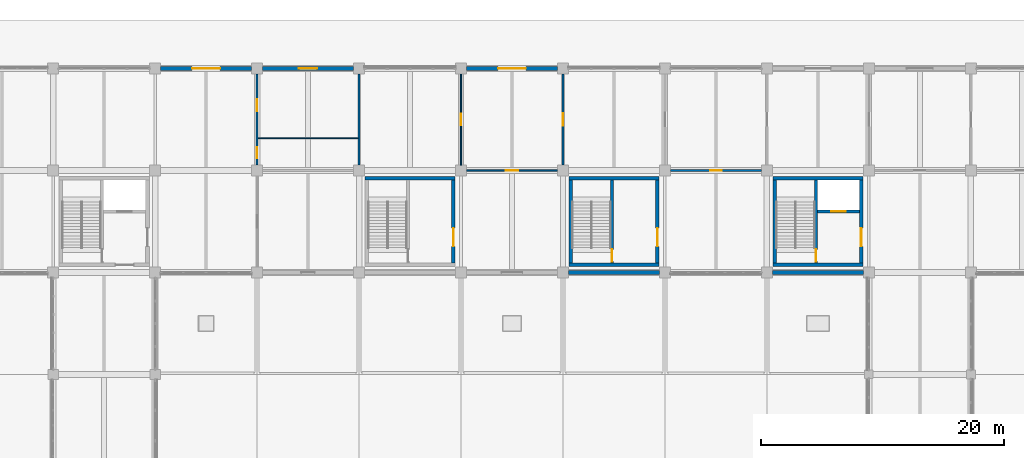
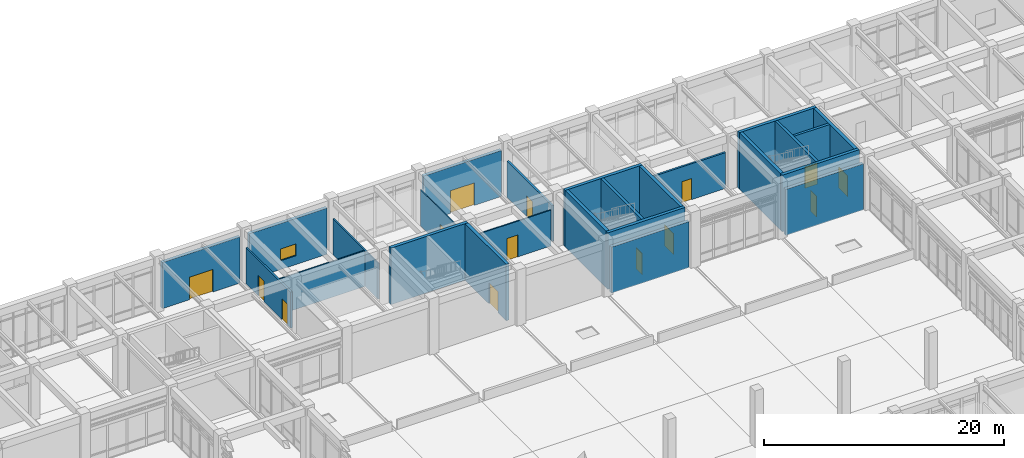
# One storey, part 75 of 91: 25 walls, 14 doors, 1 window, 15 openings.
"""IFC4 building model written with IfcOpenShell, lengths in metres."""

import ifcopenshell
import ifcopenshell.guid

model = None  # the IFC model being written
_history = None  # IfcOwnerHistory: only IFC2X3 demands one
_inside = {}  # id of a spatial element -> (the spatial element, [elements in it])
_under = {}  # id of a project, library or spatial element -> (it, [spatial elements below it])
_declared = {}  # id of a project -> (the project, [libraries it declares])
_typed = {}  # id of a type object -> (the type object, [elements of that type])
_made_of = {}  # id of a material, layer set ... -> (it, [elements and type objects made of it])


def new_model(schema):
    """Start an empty IFC model of exactly this schema.

    Asked for "IFC4X3", IfcOpenShell would pick the latest addendum, in which some entities
    have other attributes; the version numbers below select the first issue.
    IFC2X3 requires an IfcOwnerHistory on every rooted entity: one is made here for all.
    """
    global model, _history
    if schema == "IFC4X3":
        model = ifcopenshell.file(schema_version=(4, 3, 0, 0))
    else:
        model = ifcopenshell.file(schema=schema)
    _inside.clear()
    _under.clear()
    _declared.clear()
    _typed.clear()
    _made_of.clear()
    _history = None
    if model.schema == "IFC2X3":
        org = make("IfcOrganization", Name="unknown")
        user = make(
            "IfcPersonAndOrganization",
            ThePerson=make("IfcPerson", FamilyName="unknown"),
            TheOrganization=org,
        )
        app = make(
            "IfcApplication",
            ApplicationDeveloper=org,
            Version="unknown",
            ApplicationFullName="unknown",
            ApplicationIdentifier="unknown",
        )
        _history = make(
            "IfcOwnerHistory",
            OwningUser=user,
            OwningApplication=app,
            ChangeAction="ADDED",
            CreationDate=0,
        )
    return model


def make(cls, **values):
    """One entity of the class cls with the attributes given. An attribute that is None is left unset."""
    return model.create_entity(
        cls, **{name: value for name, value in values.items() if value is not None}
    )


def rooted(cls, **values):
    """An entity with a GlobalId (a new one), such as an element, a storey or a relation."""
    return make(cls, GlobalId=ifcopenshell.guid.new(), OwnerHistory=_history, **values)


def si_unit(unit_type, name, prefix=None):
    """IfcSIUnit, for example si_unit("LENGTHUNIT", "METRE", prefix="MILLI")."""
    return make("IfcSIUnit", UnitType=unit_type, Prefix=prefix, Name=name)


def assignment(units):
    """IfcUnitAssignment: the units of a project."""
    return None if units is None else make("IfcUnitAssignment", Units=units)


def point(xyz):
    """IfcCartesianPoint."""
    return None if xyz is None else make("IfcCartesianPoint", Coordinates=xyz)


def direction(xyz):
    """IfcDirection."""
    return None if xyz is None else make("IfcDirection", DirectionRatios=xyz)


def frame(location, z_axis=None, x_axis=None):
    """IfcAxis2Placement3D, a coordinate frame: its origin and axes. An axis left out is left unset."""
    return make(
        "IfcAxis2Placement3D",
        Location=point(location),
        Axis=direction(z_axis),
        RefDirection=direction(x_axis),
    )


def frame_2d(location, x_axis=None):
    """IfcAxis2Placement2D, a coordinate frame in the plane: its origin and x axis."""
    return make(
        "IfcAxis2Placement2D", Location=point(location), RefDirection=direction(x_axis)
    )


def origin():
    """The frame at (0, 0, 0) with its axes left unset."""
    return frame((0.0, 0.0, 0.0))


def place(relative_to, where):
    """IfcLocalPlacement: puts the frame where relative to a parent placement (None: the world)."""
    return make(
        "IfcLocalPlacement", PlacementRelTo=relative_to, RelativePlacement=where
    )


def context(
    kind, dimensions, precision=None, world=None, true_north=None, identifier=None
):
    """IfcGeometricRepresentationContext, for example the 3D "Model" context."""
    return make(
        "IfcGeometricRepresentationContext",
        ContextIdentifier=identifier,
        ContextType=kind,
        CoordinateSpaceDimension=dimensions,
        Precision=precision,
        WorldCoordinateSystem=world,
        TrueNorth=true_north,
    )


def subcontext(parent, identifier, kind, view, scale=None):
    """IfcGeometricRepresentationSubContext, for example "Body" below "Model"."""
    return make(
        "IfcGeometricRepresentationSubContext",
        ContextIdentifier=identifier,
        ContextType=kind,
        ParentContext=parent,
        TargetScale=scale,
        TargetView=view,
    )


def project(units=None, contexts=None):
    """IfcProject with its units and contexts."""
    return rooted(
        "IfcProject",
        Name="project",
        RepresentationContexts=contexts,
        UnitsInContext=assignment(units),
    )


def spatial(cls, under=None, at=None, **own):
    """A site, building, storey or space (cls), placed at a placement, below another one or the project."""
    s = rooted(cls, ObjectPlacement=at, **own)
    if under is not None:
        _under.setdefault(under.id(), (under, []))[1].append(s)
    return s


def profile(cls, at=None, kind="AREA", **sizes):
    """A parametric profile (cls). Its sizes go by their IFC names, for example OverallWidth=200.0."""
    return make(cls, ProfileType=kind, Position=at, **sizes)


def rectangle(**sizes):
    """IfcRectangleProfileDef."""
    return profile("IfcRectangleProfileDef", **sizes)


def extrude(swept, where, along, depth):
    """IfcExtrudedAreaSolid: the profile swept, set in the frame where, extruded along a direction by depth."""
    return make(
        "IfcExtrudedAreaSolid",
        SweptArea=swept,
        Position=where,
        ExtrudedDirection=direction(along),
        Depth=depth,
    )


def shape(context_of_items, identifier, shape_type, items):
    """IfcShapeRepresentation: the items that make up one representation, for example the "Body"."""
    return make(
        "IfcShapeRepresentation",
        ContextOfItems=context_of_items,
        RepresentationIdentifier=identifier,
        RepresentationType=shape_type,
        Items=items,
    )


def material(Name=None, Category=None):
    """IfcMaterial."""
    return make("IfcMaterial", Name=Name, Category=Category)


def layer(
    of_material, thickness, ventilated=None, Name=None, Category=None, Priority=None
):
    """IfcMaterialLayer: one layer of a wall or slab, of a material (None: an air gap)."""
    return make(
        "IfcMaterialLayer",
        Material=of_material,
        LayerThickness=thickness,
        IsVentilated=ventilated,
        Name=Name,
        Category=Category,
        Priority=Priority,
    )


def layer_set(layers, Name=None):
    """IfcMaterialLayerSet."""
    return make("IfcMaterialLayerSet", MaterialLayers=layers, LayerSetName=Name)


def made_of(thing, what):
    """Note that an element or type object is made of a material, layer set ...; save() writes the relation."""
    if what is not None:
        _made_of.setdefault(what.id(), (what, []))[1].append(thing)
    return thing


def type_object(cls, material=None, **own):
    """A type object (cls), such as IfcWallType, which elements share."""
    return made_of(rooted(cls, **own), material)


def element(
    cls,
    number,
    at=None,
    inside=None,
    cuts=None,
    type_object=None,
    material=None,
    context=None,
    identifier="Body",
    shape_type=None,
    held_by="IfcProductDefinitionShape",
    body=None,
    shapes=None,
    **own,
):
    """One element of the class cls, such as IfcWall. Its Tag is "e" and its number.

    at: its placement. inside: the storey or other place that contains it. cuts: it is an
    opening in that element (IfcRelVoidsElement). A single representation is given by context,
    identifier, shape_type and body (its items); several are given by shapes. held_by: the class
    of the entity that holds the representations. save() writes the other relations.
    """
    e = rooted(cls, Tag="e%d" % number, ObjectPlacement=at, **own)
    if body is not None:
        shapes = [shape(context, identifier, shape_type, body)]
    if shapes is not None:
        e.Representation = make(held_by, Representations=shapes)
    if inside is not None:
        _inside.setdefault(inside.id(), (inside, []))[1].append(e)
    if cuts is not None:
        rooted(
            "IfcRelVoidsElement", RelatingBuildingElement=cuts, RelatedOpeningElement=e
        )
    if type_object is not None:
        _typed.setdefault(type_object.id(), (type_object, []))[1].append(e)
    return made_of(e, material)


def fill(opening, filler):
    """IfcRelFillsElement: the door or window that sits in an opening."""
    return rooted(
        "IfcRelFillsElement",
        RelatingOpeningElement=opening,
        RelatedBuildingElement=filler,
    )


def aggregate(whole, parts):
    """IfcRelAggregates: a whole, such as a stair, and the parts it consists of."""
    return rooted("IfcRelAggregates", RelatingObject=whole, RelatedObjects=parts)


def save(model, path):
    """Write the relations noted so far, then the file.

    IfcRelAggregates (storeys below a building ...), IfcRelContainedInSpatialStructure (elements
    in a storey), IfcRelDefinesByType, IfcRelAssociatesMaterial and IfcRelDeclares: one each for
    every whole, place, type object, material and project.
    """
    for whole, parts in _under.values():
        aggregate(whole, parts)
    for where, things in _inside.values():
        rooted(
            "IfcRelContainedInSpatialStructure",
            RelatedElements=things,
            RelatingStructure=where,
        )
    for kind, things in _typed.values():
        rooted("IfcRelDefinesByType", RelatedObjects=things, RelatingType=kind)
    for what, things in _made_of.values():
        rooted("IfcRelAssociatesMaterial", RelatedObjects=things, RelatingMaterial=what)
    for by, libraries in _declared.values():
        rooted("IfcRelDeclares", RelatingContext=by, RelatedDefinitions=libraries)
    model.write(path)


model = new_model("IFC4")

# Units and contexts
model_context = context("Model", 3, precision=1e-05, world=origin(), true_north=direction((0.0, 1.0)))
body_context = subcontext(model_context, "Body", "Model", "MODEL_VIEW")
ifc_project = project(units=[si_unit("LENGTHUNIT", "METRE"), si_unit("AREAUNIT", "SQUARE_METRE"), si_unit("VOLUMEUNIT", "CUBIC_METRE"), si_unit("PLANEANGLEUNIT", "RADIAN"), si_unit("MASSUNIT", "GRAM", prefix="KILO")], contexts=[model_context])

# Site, building, storey
site_placement = place(None, origin())
site = spatial("IfcSite", under=ifc_project, at=site_placement, CompositionType="ELEMENT")
building_placement = place(site_placement, origin())
building = spatial("IfcBuilding", under=site, at=building_placement, Name="Porcellanite Civic Hall", CompositionType="ELEMENT")
storey_placement = place(building_placement, origin())
storey = spatial("IfcBuildingStorey", under=building, at=storey_placement, Name="L00", CompositionType="ELEMENT", Elevation=0.0)

# Wall, opening, door
ifc_material_1 = material(Name="Concrete N40 (40 MPa)", Category="concrete")
ifc_layer_1 = layer(ifc_material_1, 0.239990234375)
ifc_layer_set_1 = layer_set([ifc_layer_1], Name="Concrete N40 (40 MPa)")
wall_type_1 = type_object("IfcWallType", Name="CW-SH240", PredefinedType="SHEAR", material=ifc_layer_set_1)
wall_1_placement = place(storey_placement, frame((113.239990234375, 101.580078125, 0.0), z_axis=(0.0, 0.0, 1.0), x_axis=(0.0, 1.0, 0.0)))
wall_1 = element("IfcWall", 1, at=wall_1_placement, inside=storey, type_object=wall_type_1, Name="Core divider C4 L00", PredefinedType="SHEAR", context=body_context, shape_type="SweptSolid", body=[
    extrude(rectangle(XDim=6.83984375, YDim=0.239990234375, at=frame_2d((3.419921875, 0.0))), origin(), (0.0, 0.0, 1.0), 5.760009765625),
])
opening_1_placement = place(wall_1_placement, frame((0.1201171875, 0.0, 0.0)))
opening_1 = element("IfcOpeningElement", 2, at=opening_1_placement, cuts=wall_1, Name="Opening FD-C4-L00-ST", PredefinedType="OPENING", context=body_context, shape_type="SweptSolid", body=[
    extrude(rectangle(XDim=1.0, YDim=2.14990234375, at=frame_2d((0.5, 1.074951171875))), frame((0.0, 0.1201171875, 0.0), z_axis=(0.0, -1.0, 0.0), x_axis=(1.0, 0.0, 0.0)), (0.0, 0.0, 1.0), 0.239990234375),
])
ifc_material_2 = material(Name="Fire-rated solid-core hardwood timber", Category="wood")
door_type_1 = type_object("IfcDoorType", Name="DR-FD100", OperationType="NOTDEFINED", PredefinedType="DOOR", material=ifc_material_2)
door_1_placement = place(opening_1_placement, origin())
door_1 = element("IfcDoor", 3, at=door_1_placement, inside=storey, type_object=door_type_1, Name="Fire stair door FD-C4-L00-ST", OperationType="SINGLE_SWING_LEFT", OverallHeight=2.14990234375, OverallWidth=1.0, PredefinedType="DOOR", context=body_context, shape_type="SweptSolid", body=[
    extrude(rectangle(XDim=1.0, YDim=2.14990234375, at=frame_2d((0.5, 1.074951171875))), frame((0.0, 0.02490234375, 0.0), z_axis=(0.0, -1.0, 0.0), x_axis=(1.0, 0.0, 0.0)), (0.0, 0.0, 1.0), 0.050048828125),
])
fill(opening_1, door_1)

wall_2_placement = place(storey_placement, frame((113.360107421875, 105.820068359375, 0.0), z_axis=(0.0, 0.0, 1.0), x_axis=(1.0, 0.0, 0.0)))
wall_2 = element("IfcWall", 4, at=wall_2_placement, inside=storey, type_object=wall_type_1, Name="Lift shaft wall C4 L00", PredefinedType="SHEAR", context=body_context, shape_type="SweptSolid", body=[
    extrude(rectangle(XDim=3.4599609375, YDim=0.239990234375, at=frame_2d((1.72998046875, 0.0))), origin(), (0.0, 0.0, 1.0), 5.760009765625),
])
opening_2_placement = place(wall_2_placement, frame((1.1298828125, 0.0, 0.0)))
opening_2 = element("IfcOpeningElement", 5, at=opening_2_placement, cuts=wall_2, Name="Opening LD-02", PredefinedType="OPENING", context=body_context, shape_type="SweptSolid", body=[
    extrude(rectangle(XDim=1.199951171875, YDim=2.199951171875, at=frame_2d((0.60009765625, 1.10009765625))), frame((0.0, 0.1201171875, 0.0), z_axis=(0.0, -1.0, 0.0), x_axis=(1.0, 0.0, 0.0)), (0.0, 0.0, 1.0), 0.239990234375),
])
ifc_material_3 = material(Name="Brushed stainless steel 316", Category="steel")
door_type_2 = type_object("IfcDoorType", Name="DR-LD120", OperationType="DOUBLE_DOOR_SLIDING", PredefinedType="DOOR", material=ifc_material_3)
door_2_placement = place(opening_2_placement, origin())
door_2 = element("IfcDoor", 6, at=door_2_placement, inside=storey, type_object=door_type_2, Name="Lift landing sliding door LD-02 L00", OperationType="DOUBLE_DOOR_SLIDING", OverallHeight=2.199951171875, OverallWidth=1.199951171875, PredefinedType="DOOR", context=body_context, shape_type="SweptSolid", body=[
    extrude(rectangle(XDim=1.199951171875, YDim=2.199951171875, at=frame_2d((0.60009765625, 1.10009765625))), frame((0.0, 0.02490234375, 0.0), z_axis=(0.0, -1.0, 0.0), x_axis=(1.0, 0.0, 0.0)), (0.0, 0.0, 1.0), 0.050048828125),
])
fill(opening_2, door_2)

wall_3_placement = place(storey_placement, frame((96.43994140625, 101.580078125, 0.0), z_axis=(0.0, 0.0, 1.0), x_axis=(0.0, 1.0, 0.0)))
wall_3 = element("IfcWall", 7, at=wall_3_placement, inside=storey, type_object=wall_type_1, Name="Core divider S10 L00", PredefinedType="SHEAR", context=body_context, shape_type="SweptSolid", body=[
    extrude(rectangle(XDim=6.83984375, YDim=0.239990234375, at=frame_2d((3.419921875, 0.0))), origin(), (0.0, 0.0, 1.0), 5.760009765625),
])
opening_3_placement = place(wall_3_placement, frame((0.1201171875, 0.0, 0.0)))
opening_3 = element("IfcOpeningElement", 8, at=opening_3_placement, cuts=wall_3, Name="Opening FD-S10-L00-ST", PredefinedType="OPENING", context=body_context, shape_type="SweptSolid", body=[
    extrude(rectangle(XDim=1.0, YDim=2.14990234375, at=frame_2d((0.5, 1.074951171875))), frame((0.0, 0.1201171875, 0.0), z_axis=(0.0, -1.0, 0.0), x_axis=(1.0, 0.0, 0.0)), (0.0, 0.0, 1.0), 0.239990234375),
])
door_3_placement = place(opening_3_placement, origin())
door_3 = element("IfcDoor", 9, at=door_3_placement, inside=storey, type_object=door_type_1, Name="Fire stair door FD-S10-L00-ST", OperationType="SINGLE_SWING_LEFT", OverallHeight=2.14990234375, OverallWidth=1.0, PredefinedType="DOOR", context=body_context, shape_type="SweptSolid", body=[
    extrude(rectangle(XDim=1.0, YDim=2.14990234375, at=frame_2d((0.5, 1.074951171875))), frame((0.0, 0.02490234375, 0.0), z_axis=(0.0, -1.0, 0.0), x_axis=(1.0, 0.0, 0.0)), (0.0, 0.0, 1.0), 0.050048828125),
])
fill(opening_3, door_3)

# Walls
ifc_material_4 = material(Name="Concrete N40 (40 MPa)", Category="concrete")
ifc_layer_2 = layer(ifc_material_4, 0.300048828125)
ifc_layer_set_2 = layer_set([ifc_layer_2], Name="Concrete N40 (40 MPa)")
wall_type_2 = type_object("IfcWallType", Name="CW-SH300", PredefinedType="SHEAR", material=ifc_layer_set_2)
wall_4_placement = place(storey_placement, frame((117.1201171875, 101.429931640625, 0.0), z_axis=(0.0, 0.0, 1.0), x_axis=(-1.0, 0.0, 0.0)))
element("IfcWall", 10, at=wall_4_placement, inside=storey, type_object=wall_type_2, Name="Core wall C4 L00 S", PredefinedType="SHEAR", context=body_context, shape_type="SweptSolid", body=[
    extrude(rectangle(XDim=7.440185546875, YDim=0.300048828125, at=frame_2d((3.72021484375, 0.0))), origin(), (0.0, 0.0, 1.0), 5.760009765625),
])
wall_5_placement = place(storey_placement, frame((109.830078125, 101.580078125, 0.0), z_axis=(0.0, 0.0, 1.0), x_axis=(0.0, 1.0, 0.0)))
element("IfcWall", 11, at=wall_5_placement, inside=storey, type_object=wall_type_2, Name="Core wall C4 L00 W", PredefinedType="SHEAR", context=body_context, shape_type="SweptSolid", body=[
    extrude(rectangle(XDim=6.83984375, YDim=0.300048828125, at=frame_2d((3.419921875, 0.0))), origin(), (0.0, 0.0, 1.0), 5.760009765625),
])
wall_6_placement = place(storey_placement, frame((109.679931640625, 108.570068359375, 0.0), z_axis=(0.0, 0.0, 1.0), x_axis=(1.0, 0.0, 0.0)))
element("IfcWall", 12, at=wall_6_placement, inside=storey, type_object=wall_type_2, Name="Core wall C4 L00 N", PredefinedType="SHEAR", context=body_context, shape_type="SweptSolid", body=[
    extrude(rectangle(XDim=7.440185546875, YDim=0.300048828125, at=frame_2d((3.72021484375, 0.0))), origin(), (0.0, 0.0, 1.0), 5.760009765625),
])

# Wall, opening, door
wall_7_placement = place(storey_placement, frame((116.969970703125, 108.419921875, 0.0), z_axis=(0.0, 0.0, 1.0), x_axis=(0.0, -1.0, 0.0)))
wall_7 = element("IfcWall", 13, at=wall_7_placement, inside=storey, type_object=wall_type_2, Name="Core wall C4 L00 E", PredefinedType="SHEAR", context=body_context, shape_type="SweptSolid", body=[
    extrude(rectangle(XDim=6.83984375, YDim=0.300048828125, at=frame_2d((3.419921875, 0.0))), origin(), (0.0, 0.0, 1.0), 5.760009765625),
])
opening_4_placement = place(wall_7_placement, frame((3.969970703125, 0.0, 0.0)))
opening_4 = element("IfcOpeningElement", 14, at=opening_4_placement, cuts=wall_7, Name="Opening FD-C4-L00-LB", PredefinedType="OPENING", context=body_context, shape_type="SweptSolid", body=[
    extrude(rectangle(XDim=1.5, YDim=2.14990234375, at=frame_2d((0.75, 1.074951171875))), frame((0.0, 0.14990234375, 0.0), z_axis=(0.0, -1.0, 0.0), x_axis=(1.0, 0.0, 0.0)), (0.0, 0.0, 1.0), 0.300048828125),
])
ifc_material_5 = material(Name="Fire-rated steel and Georgian wired glass", Category="steel")
door_type_3 = type_object("IfcDoorType", Name="DR-FD150", OperationType="DOUBLE_DOOR_SINGLE_SWING", PredefinedType="DOOR", material=ifc_material_5)
door_4_placement = place(opening_4_placement, origin())
door_4 = element("IfcDoor", 15, at=door_4_placement, inside=storey, type_object=door_type_3, Name="Fire lobby double door FD-C4-L00-LB", OperationType="DOUBLE_DOOR_SINGLE_SWING", OverallHeight=2.14990234375, OverallWidth=1.5, PredefinedType="DOOR", context=body_context, shape_type="SweptSolid", body=[
    extrude(rectangle(XDim=1.5, YDim=2.14990234375, at=frame_2d((0.75, 1.074951171875))), frame((0.0, 0.02490234375, 0.0), z_axis=(0.0, -1.0, 0.0), x_axis=(1.0, 0.0, 0.0)), (0.0, 0.0, 1.0), 0.050048828125),
])
fill(opening_4, door_4)

# Wall
wall_8_placement = place(storey_placement, frame((76.080078125, 108.570068359375, 0.0), z_axis=(0.0, 0.0, 1.0), x_axis=(1.0, 0.0, 0.0)))
element("IfcWall", 16, at=wall_8_placement, inside=storey, type_object=wall_type_2, Name="Core wall S9 L00 N", PredefinedType="SHEAR", context=body_context, shape_type="SweptSolid", body=[
    extrude(rectangle(XDim=7.43994140625, YDim=0.300048828125, at=frame_2d((3.719970703125, 0.0))), origin(), (0.0, 0.0, 1.0), 5.760009765625),
])

# Wall, opening, door
wall_9_placement = place(storey_placement, frame((83.3701171875, 108.419921875, 0.0), z_axis=(0.0, 0.0, 1.0), x_axis=(0.0, -1.0, 0.0)))
wall_9 = element("IfcWall", 17, at=wall_9_placement, inside=storey, type_object=wall_type_2, Name="Core wall S9 L00 E", PredefinedType="SHEAR", context=body_context, shape_type="SweptSolid", body=[
    extrude(rectangle(XDim=6.83984375, YDim=0.300048828125, at=frame_2d((3.419921875, 0.0))), origin(), (0.0, 0.0, 1.0), 5.760009765625),
])
opening_5_placement = place(wall_9_placement, frame((3.969970703125, 0.0, 0.0)))
opening_5 = element("IfcOpeningElement", 18, at=opening_5_placement, cuts=wall_9, Name="Opening FD-S9-L00-LB", PredefinedType="OPENING", context=body_context, shape_type="SweptSolid", body=[
    extrude(rectangle(XDim=1.5, YDim=2.14990234375, at=frame_2d((0.75, 1.074951171875))), frame((0.0, 0.14990234375, 0.0), z_axis=(0.0, -1.0, 0.0), x_axis=(1.0, 0.0, 0.0)), (0.0, 0.0, 1.0), 0.300048828125),
])
door_5_placement = place(opening_5_placement, origin())
door_5 = element("IfcDoor", 19, at=door_5_placement, inside=storey, type_object=door_type_3, Name="Fire lobby double door FD-S9-L00-LB", OperationType="DOUBLE_DOOR_SINGLE_SWING", OverallHeight=2.14990234375, OverallWidth=1.5, PredefinedType="DOOR", context=body_context, shape_type="SweptSolid", body=[
    extrude(rectangle(XDim=1.5, YDim=2.14990234375, at=frame_2d((0.75, 1.074951171875))), frame((0.0, 0.02490234375, 0.0), z_axis=(0.0, -1.0, 0.0), x_axis=(1.0, 0.0, 0.0)), (0.0, 0.0, 1.0), 0.050048828125),
])
fill(opening_5, door_5)

# Walls
wall_10_placement = place(storey_placement, frame((100.320068359375, 101.429931640625, 0.0), z_axis=(0.0, 0.0, 1.0), x_axis=(-1.0, 0.0, 0.0)))
element("IfcWall", 20, at=wall_10_placement, inside=storey, type_object=wall_type_2, Name="Core wall S10 L00 S", PredefinedType="SHEAR", context=body_context, shape_type="SweptSolid", body=[
    extrude(rectangle(XDim=7.440185546875, YDim=0.300048828125, at=frame_2d((3.72021484375, 0.0))), origin(), (0.0, 0.0, 1.0), 5.760009765625),
])
wall_11_placement = place(storey_placement, frame((93.030029296875, 101.580078125, 0.0), z_axis=(0.0, 0.0, 1.0), x_axis=(0.0, 1.0, 0.0)))
element("IfcWall", 21, at=wall_11_placement, inside=storey, type_object=wall_type_2, Name="Core wall S10 L00 W", PredefinedType="SHEAR", context=body_context, shape_type="SweptSolid", body=[
    extrude(rectangle(XDim=6.83984375, YDim=0.300048828125, at=frame_2d((3.419921875, 0.0))), origin(), (0.0, 0.0, 1.0), 5.760009765625),
])
wall_12_placement = place(storey_placement, frame((92.8798828125, 108.570068359375, 0.0), z_axis=(0.0, 0.0, 1.0), x_axis=(1.0, 0.0, 0.0)))
element("IfcWall", 22, at=wall_12_placement, inside=storey, type_object=wall_type_2, Name="Core wall S10 L00 N", PredefinedType="SHEAR", context=body_context, shape_type="SweptSolid", body=[
    extrude(rectangle(XDim=7.440185546875, YDim=0.300048828125, at=frame_2d((3.72021484375, 0.0))), origin(), (0.0, 0.0, 1.0), 5.760009765625),
])

# Wall, opening, door
wall_13_placement = place(storey_placement, frame((100.169921875, 108.419921875, 0.0), z_axis=(0.0, 0.0, 1.0), x_axis=(0.0, -1.0, 0.0)))
wall_13 = element("IfcWall", 23, at=wall_13_placement, inside=storey, type_object=wall_type_2, Name="Core wall S10 L00 E", PredefinedType="SHEAR", context=body_context, shape_type="SweptSolid", body=[
    extrude(rectangle(XDim=6.83984375, YDim=0.300048828125, at=frame_2d((3.419921875, 0.0))), origin(), (0.0, 0.0, 1.0), 5.760009765625),
])
opening_6_placement = place(wall_13_placement, frame((3.969970703125, 0.0, 0.0)))
opening_6 = element("IfcOpeningElement", 24, at=opening_6_placement, cuts=wall_13, Name="Opening FD-S10-L00-LB", PredefinedType="OPENING", context=body_context, shape_type="SweptSolid", body=[
    extrude(rectangle(XDim=1.5, YDim=2.14990234375, at=frame_2d((0.75, 1.074951171875))), frame((0.0, 0.14990234375, 0.0), z_axis=(0.0, -1.0, 0.0), x_axis=(1.0, 0.0, 0.0)), (0.0, 0.0, 1.0), 0.300048828125),
])
door_6_placement = place(opening_6_placement, origin())
door_6 = element("IfcDoor", 25, at=door_6_placement, inside=storey, type_object=door_type_3, Name="Fire lobby double door FD-S10-L00-LB", OperationType="DOUBLE_DOOR_SINGLE_SWING", OverallHeight=2.14990234375, OverallWidth=1.5, PredefinedType="DOOR", context=body_context, shape_type="SweptSolid", body=[
    extrude(rectangle(XDim=1.5, YDim=2.14990234375, at=frame_2d((0.75, 1.074951171875))), frame((0.0, 0.02490234375, 0.0), z_axis=(0.0, -1.0, 0.0), x_axis=(1.0, 0.0, 0.0)), (0.0, 0.0, 1.0), 0.050048828125),
])
fill(opening_6, door_6)

ifc_material_6 = material(Name="Precast concrete N40 (40 MPa)", Category="concrete")
ifc_layer_3 = layer(ifc_material_6, 0.300048828125)
ifc_layer_set_3 = layer_set([ifc_layer_3], Name="Precast concrete N40 (40 MPa)")
wall_type_3 = type_object("IfcWallType", Name="EW-ADM300", PredefinedType="SOLIDWALL", material=ifc_layer_set_3)
wall_14_placement = place(storey_placement, frame((59.2509765625, 117.60009765625, 0.0), z_axis=(0.0, 0.0, 1.0), x_axis=(1.0, 0.0, 0.0)))
wall_14 = element("IfcWall", 26, at=wall_14_placement, inside=storey, type_object=wall_type_3, Name="Exterior wall L00 N 8-14", PredefinedType="SOLIDWALL", context=body_context, shape_type="SweptSolid", body=[
    extrude(rectangle(XDim=7.498046875, YDim=0.300048828125, at=frame_2d((3.7490234375, 0.0))), origin(), (0.0, 0.0, 1.0), 4.699951171875),
])
opening_7_placement = place(wall_14_placement, frame((2.59912109375, 0.0, 0.0)))
opening_7 = element("IfcOpeningElement", 27, at=opening_7_placement, cuts=wall_14, Name="Opening ED-17", PredefinedType="OPENING", context=body_context, shape_type="SweptSolid", body=[
    extrude(rectangle(XDim=2.300048828125, YDim=2.300048828125, at=frame_2d((1.14990234375, 1.14990234375))), frame((0.0, 0.14990234375, 0.0), z_axis=(0.0, -1.0, 0.0), x_axis=(1.0, 0.0, 0.0)), (0.0, 0.0, 1.0), 0.300048828125),
])
ifc_material_7 = material(Name="Anodised aluminium and laminated safety glass", Category="aluminium")
door_type_4 = type_object("IfcDoorType", Name="DR-EXIT210", OperationType="DOUBLE_DOOR_SINGLE_SWING", PredefinedType="DOOR", material=ifc_material_7)
door_7_placement = place(opening_7_placement, origin())
door_7 = element("IfcDoor", 28, at=door_7_placement, inside=storey, type_object=door_type_4, Name="Pedestrian final exit door ED-17", OperationType="DOUBLE_DOOR_SINGLE_SWING", OverallHeight=2.300048828125, OverallWidth=2.300048828125, PredefinedType="DOOR", context=body_context, shape_type="SweptSolid", body=[
    extrude(rectangle(XDim=2.300048828125, YDim=2.300048828125, at=frame_2d((1.14990234375, 1.14990234375))), frame((0.0, 0.02490234375, 0.0), z_axis=(0.0, -1.0, 0.0), x_axis=(1.0, 0.0, 0.0)), (0.0, 0.0, 1.0), 0.050048828125),
])
fill(opening_7, door_7)

# Wall, opening, window
wall_15_placement = place(storey_placement, frame((67.65087890625, 117.60009765625, 0.0), z_axis=(0.0, 0.0, 1.0), x_axis=(1.0, 0.0, 0.0)))
wall_15 = element("IfcWall", 29, at=wall_15_placement, inside=storey, type_object=wall_type_3, Name="Exterior wall L00 N 9-14", PredefinedType="SOLIDWALL", context=body_context, shape_type="SweptSolid", body=[
    extrude(rectangle(XDim=7.498046875, YDim=0.300048828125, at=frame_2d((3.7490234375, 0.0))), origin(), (0.0, 0.0, 1.0), 4.699951171875),
])
opening_8_placement = place(wall_15_placement, frame((2.9990234375, 0.0, 0.89990234375)))
opening_8 = element("IfcOpeningElement", 30, at=opening_8_placement, cuts=wall_15, Name="Opening W25", PredefinedType="OPENING", context=body_context, shape_type="SweptSolid", body=[
    extrude(rectangle(XDim=1.5, YDim=1.199951171875, at=frame_2d((0.75, 0.60009765625))), frame((0.0, 0.14990234375, 0.0), z_axis=(0.0, -1.0, 0.0), x_axis=(1.0, 0.0, 0.0)), (0.0, 0.0, 1.0), 0.300048828125),
])
ifc_material_8 = material(Name="Cyclone laminated low-E glazing in anodised aluminium frame", Category="aluminium")
window_type = type_object("IfcWindowType", Name="WN-25", PartitioningType="SINGLE_PANEL", PredefinedType="WINDOW", material=ifc_material_8)
window_placement = place(opening_8_placement, origin())
window = element("IfcWindow", 31, at=window_placement, inside=storey, type_object=window_type, Name="Window W25 L00 N 9-14", OverallHeight=1.199951171875, OverallWidth=1.5, PartitioningType="SINGLE_PANEL", PredefinedType="WINDOW", context=body_context, shape_type="SweptSolid", body=[
    extrude(rectangle(XDim=1.5, YDim=1.199951171875, at=frame_2d((0.75, 0.60009765625))), frame((0.0, 0.030029296875, 0.0), z_axis=(0.0, -1.0, 0.0), x_axis=(1.0, 0.0, 0.0)), (0.0, 0.0, 1.0), 0.06005859375),
])
fill(opening_8, window)

# Wall, opening, door
wall_16_placement = place(storey_placement, frame((84.450927734375, 117.60009765625, 0.0), z_axis=(0.0, 0.0, 1.0), x_axis=(1.0, 0.0, 0.0)))
wall_16 = element("IfcWall", 32, at=wall_16_placement, inside=storey, type_object=wall_type_3, Name="Exterior wall L00 N 11-14", PredefinedType="SOLIDWALL", context=body_context, shape_type="SweptSolid", body=[
    extrude(rectangle(XDim=7.498046875, YDim=0.300048828125, at=frame_2d((3.7490234375, 0.0))), origin(), (0.0, 0.0, 1.0), 4.699951171875),
])
opening_9_placement = place(wall_16_placement, frame((2.59912109375, 0.0, 0.0)))
opening_9 = element("IfcOpeningElement", 33, at=opening_9_placement, cuts=wall_16, Name="Opening ED-18", PredefinedType="OPENING", context=body_context, shape_type="SweptSolid", body=[
    extrude(rectangle(XDim=2.300048828125, YDim=2.300048828125, at=frame_2d((1.14990234375, 1.14990234375))), frame((0.0, 0.14990234375, 0.0), z_axis=(0.0, -1.0, 0.0), x_axis=(1.0, 0.0, 0.0)), (0.0, 0.0, 1.0), 0.300048828125),
])
door_8_placement = place(opening_9_placement, origin())
door_8 = element("IfcDoor", 34, at=door_8_placement, inside=storey, type_object=door_type_4, Name="Pedestrian final exit door ED-18", OperationType="DOUBLE_DOOR_SINGLE_SWING", OverallHeight=2.300048828125, OverallWidth=2.300048828125, PredefinedType="DOOR", context=body_context, shape_type="SweptSolid", body=[
    extrude(rectangle(XDim=2.300048828125, YDim=2.300048828125, at=frame_2d((1.14990234375, 1.14990234375))), frame((0.0, 0.02490234375, 0.0), z_axis=(0.0, -1.0, 0.0), x_axis=(1.0, 0.0, 0.0)), (0.0, 0.0, 1.0), 0.050048828125),
])
fill(opening_9, door_8)

# Walls
for number, where, z_axis, x_axis, name in (
    (35, (100.34912109375, 100.800048828125, 0.0), (0.0, 0.0, 1.0), (-1.0, 0.0, 0.0), "Exterior wall L00 S 12-13"),
    (36, (117.14892578125, 100.800048828125, 0.0), (0.0, 0.0, 1.0), (-1.0, 0.0, 0.0), "Exterior wall L00 S 14-13"),
):
    element("IfcWall", number, at=place(storey_placement, frame(where, z_axis=z_axis, x_axis=x_axis)), inside=storey, type_object=wall_type_3, Name=name, PredefinedType="SOLIDWALL", context=body_context, shape_type="SweptSolid", body=[
        extrude(rectangle(XDim=7.498046875, YDim=0.300048828125, at=frame_2d((3.7490234375, 0.0))), origin(), (0.0, 0.0, 1.0), 4.699951171875),
    ])
ifc_material_9 = material(Name="Insulated acoustic plasterboard on light-gauge steel studs", Category="steel")
ifc_layer_4 = layer(ifc_material_9, 0.094970703125)
ifc_layer_set_4 = layer_set([ifc_layer_4], Name="Insulated acoustic plasterboard on light-gauge steel studs")
wall_type_4 = type_object("IfcWallType", Name="IW-PT095", PredefinedType="PARTITIONING", material=ifc_layer_set_4)
wall_17_placement = place(storey_placement, frame((67.284423828125, 111.85009765625, 0.0), z_axis=(0.0, 0.0, 1.0), x_axis=(1.0, 0.0, 0.0)))
element("IfcWall", 37, at=wall_17_placement, inside=storey, type_object=wall_type_4, Name="Partition L00 sub 9-14", PredefinedType="PARTITIONING", context=body_context, shape_type="SweptSolid", body=[
    extrude(rectangle(XDim=8.24609375, YDim=0.094970703125, at=frame_2d((4.123046875, 0.0))), origin(), (0.0, 0.0, 1.0), 3.659912109375),
])

# Wall, opening, door
ifc_material_10 = material(Name="Insulated acoustic plasterboard on light-gauge steel studs", Category="steel")
ifc_layer_5 = layer(ifc_material_10, 0.10498046875)
ifc_layer_set_5 = layer_set([ifc_layer_5], Name="Insulated acoustic plasterboard on light-gauge steel studs")
wall_type_5 = type_object("IfcWallType", Name="IW-PT105", PredefinedType="PARTITIONING", material=ifc_layer_set_5)
wall_18_placement = place(storey_placement, frame((84.0, 109.652099609375, 0.0), z_axis=(0.0, 0.0, 1.0), x_axis=(0.0, 1.0, 0.0)))
wall_18 = element("IfcWall", 38, at=wall_18_placement, inside=storey, type_object=wall_type_5, Name="Partition L00 V 10-14", PredefinedType="PARTITIONING", context=body_context, shape_type="SweptSolid", body=[
    extrude(rectangle(XDim=7.495849609375, YDim=0.10498046875, at=frame_2d((3.748046875, 0.0))), origin(), (0.0, 0.0, 1.0), 3.659912109375),
])
opening_10_placement = place(wall_18_placement, frame((3.2880859375, 0.0, 0.0)))
opening_10 = element("IfcOpeningElement", 39, at=opening_10_placement, cuts=wall_18, Name="Opening D-L00-125", PredefinedType="OPENING", context=body_context, shape_type="SweptSolid", body=[
    extrude(rectangle(XDim=0.919921875, YDim=2.14990234375, at=frame_2d((0.4599609375, 1.074951171875))), frame((0.0, 0.052490234375, 0.0), z_axis=(0.0, -1.0, 0.0), x_axis=(1.0, 0.0, 0.0)), (0.0, 0.0, 1.0), 0.10498046875),
])
ifc_material_11 = material(Name="Solid-core spotted-gum timber", Category="wood")
door_type_5 = type_object("IfcDoorType", Name="DR-RM092", OperationType="NOTDEFINED", PredefinedType="DOOR", material=ifc_material_11)
door_9_placement = place(opening_10_placement, origin())
door_9 = element("IfcDoor", 40, at=door_9_placement, inside=storey, type_object=door_type_5, Name="Interior door D-L00-125", OperationType="SINGLE_SWING_LEFT", OverallHeight=2.14990234375, OverallWidth=0.919921875, PredefinedType="DOOR", context=body_context, shape_type="SweptSolid", body=[
    extrude(rectangle(XDim=0.919921875, YDim=2.14990234375, at=frame_2d((0.4599609375, 1.074951171875))), frame((0.0, 0.02490234375, 0.0), z_axis=(0.0, -1.0, 0.0), x_axis=(1.0, 0.0, 0.0)), (0.0, 0.0, 1.0), 0.050048828125),
])
fill(opening_10, door_9)

ifc_material_12 = material(Name="Insulated acoustic plasterboard on light-gauge steel studs", Category="steel")
ifc_layer_6 = layer(ifc_material_12, 0.125)
ifc_layer_set_6 = layer_set([ifc_layer_6], Name="Insulated acoustic plasterboard on light-gauge steel studs")
wall_type_6 = type_object("IfcWallType", Name="IW-PT125", PredefinedType="PARTITIONING", material=ifc_layer_set_6)
wall_19_placement = place(storey_placement, frame((84.451904296875, 109.199951171875, 0.0), z_axis=(0.0, 0.0, 1.0), x_axis=(1.0, 0.0, 0.0)))
wall_19 = element("IfcWall", 41, at=wall_19_placement, inside=storey, type_object=wall_type_6, Name="Partition L00 H 11-13", PredefinedType="PARTITIONING", context=body_context, shape_type="SweptSolid", body=[
    extrude(rectangle(XDim=7.49609375, YDim=0.125, at=frame_2d((3.748046875, 0.0))), origin(), (0.0, 0.0, 1.0), 3.659912109375),
])
opening_11_placement = place(wall_19_placement, frame((3.218017578125, 0.0, 0.0)))
opening_11 = element("IfcOpeningElement", 42, at=opening_11_placement, cuts=wall_19, Name="Opening D-L00-053", PredefinedType="OPENING", context=body_context, shape_type="SweptSolid", body=[
    extrude(rectangle(XDim=1.06005859375, YDim=2.25, at=frame_2d((0.530029296875, 1.125))), frame((0.0, 0.0625, 0.0), z_axis=(0.0, -1.0, 0.0), x_axis=(1.0, 0.0, 0.0)), (0.0, 0.0, 1.0), 0.125),
])
ifc_material_13 = material(Name="Solid-core spotted-gum timber", Category="wood")
door_type_6 = type_object("IfcDoorType", Name="DR-RM106", OperationType="NOTDEFINED", PredefinedType="DOOR", material=ifc_material_13)
door_10_placement = place(opening_11_placement, origin())
door_10 = element("IfcDoor", 43, at=door_10_placement, inside=storey, type_object=door_type_6, Name="Interior door D-L00-053", OperationType="SINGLE_SWING_LEFT", OverallHeight=2.25, OverallWidth=1.06005859375, PredefinedType="DOOR", context=body_context, shape_type="SweptSolid", body=[
    extrude(rectangle(XDim=1.06005859375, YDim=2.25, at=frame_2d((0.530029296875, 1.125))), frame((0.0, 0.02490234375, 0.0), z_axis=(0.0, -1.0, 0.0), x_axis=(1.0, 0.0, 0.0)), (0.0, 0.0, 1.0), 0.050048828125),
])
fill(opening_11, door_10)

# Wall
ifc_material_14 = material(Name="Insulated acoustic plasterboard on light-gauge steel studs", Category="steel")
ifc_layer_7 = layer(ifc_material_14, 0.135009765625)
ifc_layer_set_7 = layer_set([ifc_layer_7], Name="Insulated acoustic plasterboard on light-gauge steel studs")
wall_type_7 = type_object("IfcWallType", Name="IW-PT135", PredefinedType="PARTITIONING", material=ifc_layer_set_7)
wall_20_placement = place(storey_placement, frame((75.60009765625, 109.652099609375, 0.0), z_axis=(0.0, 0.0, 1.0), x_axis=(0.0, 1.0, 0.0)))
element("IfcWall", 44, at=wall_20_placement, inside=storey, type_object=wall_type_7, Name="Partition L00 V 9-14", PredefinedType="PARTITIONING", context=body_context, shape_type="SweptSolid", body=[
    extrude(rectangle(XDim=7.495849609375, YDim=0.135009765625, at=frame_2d((3.748046875, 0.0))), origin(), (0.0, 0.0, 1.0), 3.659912109375),
])

# Wall, openings, doors
ifc_material_15 = material(Name="Insulated acoustic plasterboard on light-gauge steel studs", Category="steel")
ifc_layer_8 = layer(ifc_material_15, 0.1650390625)
ifc_layer_set_8 = layer_set([ifc_layer_8], Name="Insulated acoustic plasterboard on light-gauge steel studs")
wall_type_8 = type_object("IfcWallType", Name="IW-PT165", PredefinedType="PARTITIONING", material=ifc_layer_set_8)
wall_21_placement = place(storey_placement, frame((67.199951171875, 109.652099609375, 0.0), z_axis=(0.0, 0.0, 1.0), x_axis=(0.0, 1.0, 0.0)))
wall_21 = element("IfcWall", 45, at=wall_21_placement, inside=storey, type_object=wall_type_8, Name="Partition L00 V 8-14", PredefinedType="PARTITIONING", context=body_context, shape_type="SweptSolid", body=[
    extrude(rectangle(XDim=7.495849609375, YDim=0.1650390625, at=frame_2d((3.748046875, 0.0))), origin(), (0.0, 0.0, 1.0), 3.659912109375),
])
opening_12_placement = place(wall_21_placement, frame((0.552978515625, 0.0, 0.0)))
opening_12 = element("IfcOpeningElement", 46, at=opening_12_placement, cuts=wall_21, Name="Opening D-L00-033", PredefinedType="OPENING", context=body_context, shape_type="SweptSolid", body=[
    extrude(rectangle(XDim=0.919921875, YDim=2.10009765625, at=frame_2d((0.4599609375, 1.050048828125))), frame((0.0, 0.08251953125, 0.0), z_axis=(0.0, -1.0, 0.0), x_axis=(1.0, 0.0, 0.0)), (0.0, 0.0, 1.0), 0.1650390625),
])
opening_13_placement = place(wall_21_placement, frame((4.443115234375, 0.0, 0.0)))
opening_13 = element("IfcOpeningElement", 47, at=opening_13_placement, cuts=wall_21, Name="Opening D-L00-034", PredefinedType="OPENING", context=body_context, shape_type="SweptSolid", body=[
    extrude(rectangle(XDim=0.97998046875, YDim=2.080078125, at=frame_2d((0.489990234375, 1.0400390625))), frame((0.0, 0.08251953125, 0.0), z_axis=(0.0, -1.0, 0.0), x_axis=(1.0, 0.0, 0.0)), (0.0, 0.0, 1.0), 0.1650390625),
])
ifc_material_16 = material(Name="Moisture-resistant laminate solid-core timber", Category="wood")
door_type_7 = type_object("IfcDoorType", Name="DR-WC092", OperationType="NOTDEFINED", PredefinedType="DOOR", material=ifc_material_16)
door_11_placement = place(opening_12_placement, origin())
door_11 = element("IfcDoor", 48, at=door_11_placement, inside=storey, type_object=door_type_7, Name="Interior door D-L00-033", OperationType="SINGLE_SWING_LEFT", OverallHeight=2.10009765625, OverallWidth=0.919921875, PredefinedType="DOOR", context=body_context, shape_type="SweptSolid", body=[
    extrude(rectangle(XDim=0.919921875, YDim=2.10009765625, at=frame_2d((0.4599609375, 1.050048828125))), frame((0.0, 0.02490234375, 0.0), z_axis=(0.0, -1.0, 0.0), x_axis=(1.0, 0.0, 0.0)), (0.0, 0.0, 1.0), 0.050048828125),
])
fill(opening_12, door_11)
ifc_material_17 = material(Name="Moisture-resistant laminate solid-core timber", Category="wood")
door_type_8 = type_object("IfcDoorType", Name="DR-WC098", OperationType="NOTDEFINED", PredefinedType="DOOR", material=ifc_material_17)
door_12_placement = place(opening_13_placement, origin())
door_12 = element("IfcDoor", 49, at=door_12_placement, inside=storey, type_object=door_type_8, Name="Interior door D-L00-034", OperationType="SINGLE_SWING_RIGHT", OverallHeight=2.080078125, OverallWidth=0.97998046875, PredefinedType="DOOR", context=body_context, shape_type="SweptSolid", body=[
    extrude(rectangle(XDim=0.97998046875, YDim=2.080078125, at=frame_2d((0.489990234375, 1.0400390625))), frame((0.0, 0.02490234375, 0.0), z_axis=(0.0, -1.0, 0.0), x_axis=(1.0, 0.0, 0.0)), (0.0, 0.0, 1.0), 0.050048828125),
])
fill(opening_13, door_12)

# Wall, opening, door
ifc_material_18 = material(Name="Insulated acoustic plasterboard on light-gauge steel studs", Category="steel")
ifc_layer_9 = layer(ifc_material_18, 0.18505859375)
ifc_layer_set_9 = layer_set([ifc_layer_9], Name="Insulated acoustic plasterboard on light-gauge steel studs")
wall_type_9 = type_object("IfcWallType", Name="IW-PT185", PredefinedType="PARTITIONING", material=ifc_layer_set_9)
wall_22_placement = place(storey_placement, frame((101.251953125, 109.199951171875, 0.0), z_axis=(0.0, 0.0, 1.0), x_axis=(1.0, 0.0, 0.0)))
wall_22 = element("IfcWall", 50, at=wall_22_placement, inside=storey, type_object=wall_type_9, Name="Partition L00 H 13-13", PredefinedType="PARTITIONING", context=body_context, shape_type="SweptSolid", body=[
    extrude(rectangle(XDim=7.49609375, YDim=0.18505859375, at=frame_2d((3.748046875, 0.0))), origin(), (0.0, 0.0, 1.0), 3.659912109375),
])
opening_14_placement = place(wall_22_placement, frame((3.278076171875, 0.0, 0.0)))
opening_14 = element("IfcOpeningElement", 51, at=opening_14_placement, cuts=wall_22, Name="Opening D-L00-059", PredefinedType="OPENING", context=body_context, shape_type="SweptSolid", body=[
    extrude(rectangle(XDim=0.93994140625, YDim=2.14990234375, at=frame_2d((0.469970703125, 1.074951171875))), frame((0.0, 0.092529296875, 0.0), z_axis=(0.0, -1.0, 0.0), x_axis=(1.0, 0.0, 0.0)), (0.0, 0.0, 1.0), 0.18505859375),
])
ifc_material_19 = material(Name="Solid-core spotted-gum timber", Category="wood")
door_type_9 = type_object("IfcDoorType", Name="DR-RM094", OperationType="NOTDEFINED", PredefinedType="DOOR", material=ifc_material_19)
door_13_placement = place(opening_14_placement, origin())
door_13 = element("IfcDoor", 52, at=door_13_placement, inside=storey, type_object=door_type_9, Name="Interior door D-L00-059", OperationType="SINGLE_SWING_RIGHT", OverallHeight=2.14990234375, OverallWidth=0.93994140625, PredefinedType="DOOR", context=body_context, shape_type="SweptSolid", body=[
    extrude(rectangle(XDim=0.93994140625, YDim=2.14990234375, at=frame_2d((0.469970703125, 1.074951171875))), frame((0.0, 0.02490234375, 0.0), z_axis=(0.0, -1.0, 0.0), x_axis=(1.0, 0.0, 0.0)), (0.0, 0.0, 1.0), 0.050048828125),
])
fill(opening_14, door_13)

ifc_material_20 = material(Name="Insulated acoustic plasterboard on light-gauge steel studs", Category="steel")
ifc_layer_10 = layer(ifc_material_20, 0.195068359375)
ifc_layer_set_10 = layer_set([ifc_layer_10], Name="Insulated acoustic plasterboard on light-gauge steel studs")
wall_type_10 = type_object("IfcWallType", Name="IW-PT195", PredefinedType="PARTITIONING", material=ifc_layer_set_10)
wall_23_placement = place(storey_placement, frame((92.39990234375, 109.652099609375, 0.0), z_axis=(0.0, 0.0, 1.0), x_axis=(0.0, 1.0, 0.0)))
wall_23 = element("IfcWall", 53, at=wall_23_placement, inside=storey, type_object=wall_type_10, Name="Partition L00 V 11-14", PredefinedType="PARTITIONING", context=body_context, shape_type="SweptSolid", body=[
    extrude(rectangle(XDim=7.495849609375, YDim=0.195068359375, at=frame_2d((3.748046875, 0.0))), origin(), (0.0, 0.0, 1.0), 3.659912109375),
])
opening_15_placement = place(wall_23_placement, frame((3.222900390625, 0.0, 0.0)))
opening_15 = element("IfcOpeningElement", 54, at=opening_15_placement, cuts=wall_23, Name="Opening D-L00-126", PredefinedType="OPENING", context=body_context, shape_type="SweptSolid", body=[
    extrude(rectangle(XDim=1.050048828125, YDim=2.1201171875, at=frame_2d((0.52490234375, 1.06005859375))), frame((0.0, 0.09765625, 0.0), z_axis=(0.0, -1.0, 0.0), x_axis=(1.0, 0.0, 0.0)), (0.0, 0.0, 1.0), 0.195068359375),
])
ifc_material_21 = material(Name="Solid-core spotted-gum timber", Category="wood")
door_type_10 = type_object("IfcDoorType", Name="DR-RM105", OperationType="NOTDEFINED", PredefinedType="DOOR", material=ifc_material_21)
door_14_placement = place(opening_15_placement, origin())
door_14 = element("IfcDoor", 55, at=door_14_placement, inside=storey, type_object=door_type_10, Name="Interior door D-L00-126", OperationType="SINGLE_SWING_RIGHT", OverallHeight=2.1201171875, OverallWidth=1.050048828125, PredefinedType="DOOR", context=body_context, shape_type="SweptSolid", body=[
    extrude(rectangle(XDim=1.050048828125, YDim=2.1201171875, at=frame_2d((0.52490234375, 1.06005859375))), frame((0.0, 0.02490234375, 0.0), z_axis=(0.0, -1.0, 0.0), x_axis=(1.0, 0.0, 0.0)), (0.0, 0.0, 1.0), 0.050048828125),
])
fill(opening_15, door_14)

save(model, "model.ifc")
